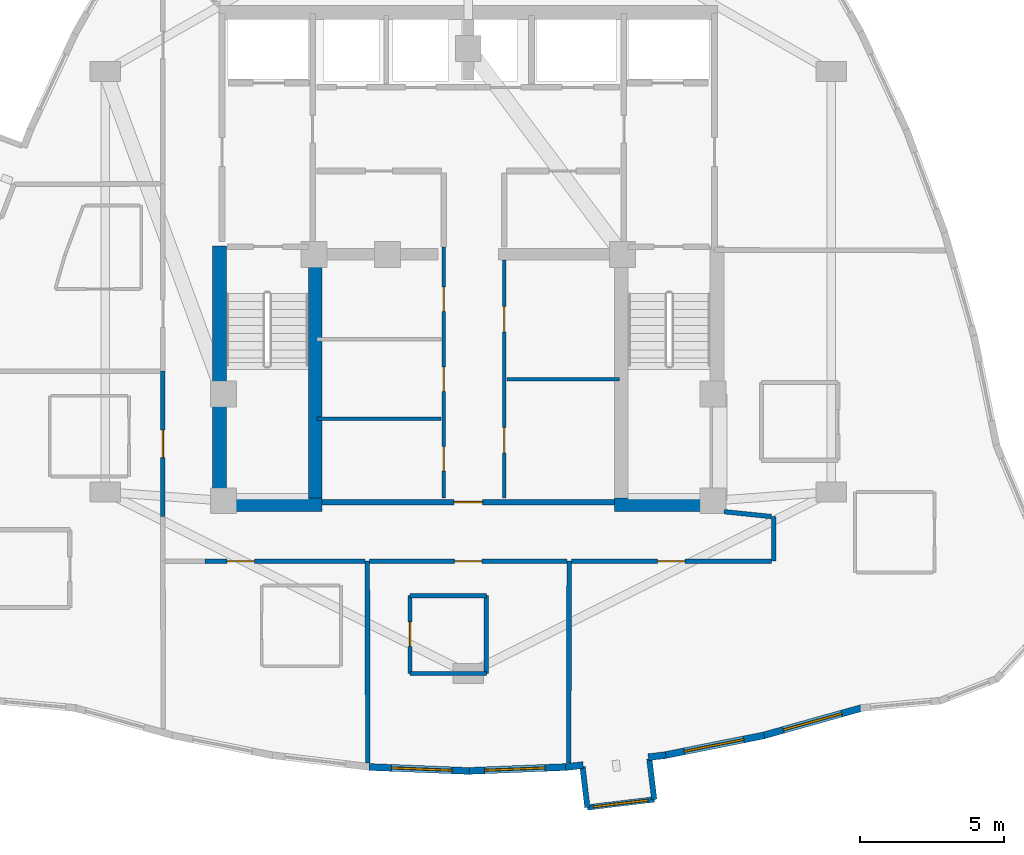
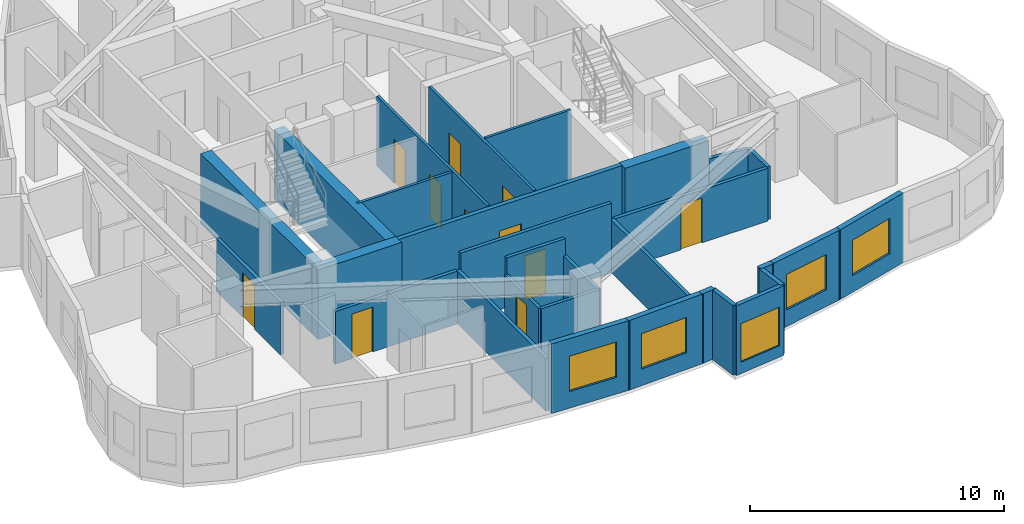
# One storey, part 4 of 9: 30 walls, 11 doors, 5 windows, 16 openings.
"""IFC4 building model written with IfcOpenShell, lengths in metres."""

from ifc_helpers import new_model, si_unit, direction, frame, frame_2d, origin, place, context, subcontext, project, spatial, rectangle, extrude, material, layer, layer_set, type_object, element, fill, save


model = new_model("IFC4")

# Units and contexts
model_context = context("Model", 3, precision=1e-05, world=origin(), true_north=direction((0.0, 1.0)))
body_context = subcontext(model_context, "Body", "Model", "MODEL_VIEW")
ifc_project = project(units=[si_unit("LENGTHUNIT", "METRE"), si_unit("AREAUNIT", "SQUARE_METRE"), si_unit("VOLUMEUNIT", "CUBIC_METRE"), si_unit("PLANEANGLEUNIT", "RADIAN"), si_unit("MASSUNIT", "GRAM", prefix="KILO")], contexts=[model_context])

# Site, building, storey
site_placement = place(None, origin())
site = spatial("IfcSite", under=ifc_project, at=site_placement, CompositionType="ELEMENT")
building_placement = place(site_placement, origin())
building = spatial("IfcBuilding", under=site, at=building_placement, Name="Miruveldt Soraemaru", CompositionType="ELEMENT")
storey_placement = place(building_placement, frame((0.0, 0.0, 244.800048828125)))
storey = spatial("IfcBuildingStorey", under=building, at=storey_placement, Name="L67", CompositionType="ELEMENT", Elevation=244.800048828125)

# Walls
ifc_material_1 = material(Name="White powder-coated aluminium EN AW-6060 T6", Category="aluminium")
ifc_layer_1 = layer(ifc_material_1, 0.18994140625, Name="White powder-coated aluminium EN AW-6060 T6", Category="aluminium")
ifc_layer_set_1 = layer_set([ifc_layer_1], Name="White powder-coated aluminium EN AW-6060 T6")
wall_type_1 = type_object("IfcWallType", Name="WALL-BAY-ALU190", PredefinedType="SOLIDWALL", material=ifc_layer_set_1)
for number, where, z_axis, x_axis, name in (
    (1, (47.965576171875, 26.26708984375, 0.0), (0.0, 0.0, 1.0), (0.119077659317, -0.992884943511, 0.0), "L67 Bay Window Side Cheek 2L"),
    (2, (50.455810546875, 25.130859375, 0.0), (0.0, 0.0, 1.0), (-0.119246559468, 0.992864672579, 0.0), "L67 Bay Window Side Cheek 2R"),
):
    element("IfcWall", number, at=place(storey_placement, frame(where, z_axis=z_axis, x_axis=x_axis)), inside=storey, type_object=wall_type_1, Name=name, PredefinedType="SOLIDWALL", context=body_context, shape_type="SweptSolid", body=[
        extrude(rectangle(XDim=1.425048828125, YDim=0.18994140625, at=frame_2d((0.71240234375, 0.0))), origin(), (0.0, 0.0, 1.0), 3.344970703125),
    ])

# Wall, opening, window
wall_1_placement = place(storey_placement, frame((48.13525390625, 24.852294921875, 0.0), z_axis=(0.0, 0.0, 1.0), x_axis=(0.992871894832, 0.119186410521, 0.0)))
wall_1 = element("IfcWall", 3, at=wall_1_placement, inside=storey, type_object=wall_type_1, Name="L67 Bay Window Front Frame 2", PredefinedType="SOLIDWALL", context=body_context, shape_type="SweptSolid", body=[
    extrude(rectangle(XDim=2.337158203125, YDim=0.18994140625, at=frame_2d((1.16845703125, 0.0))), origin(), (0.0, 0.0, 1.0), 3.344970703125),
])
opening_1_placement = place(wall_1_placement, frame((0.218994140625, 0.0, 0.550048828125)))
opening_1 = element("IfcOpeningElement", 4, at=opening_1_placement, cuts=wall_1, Name="Opening WN-6", PredefinedType="OPENING", context=body_context, shape_type="SweptSolid", body=[
    extrude(rectangle(XDim=1.89990234375, YDim=1.85009765625, at=frame_2d((0.949951171875, 0.925048828125))), frame((0.0, 0.10498046875, 0.0), z_axis=(0.0, -1.0, 0.0), x_axis=(1.0, 0.0, 0.0)), (0.0, 0.0, 1.0), 0.2099609375),
])
ifc_material_2 = material(Name="Triple low-e insulated glazing", Category="glass")
window_type_1 = type_object("IfcWindowType", Name="WIN-BAYW-1900x1850", PartitioningType="SINGLE_PANEL", PredefinedType="WINDOW", material=ifc_material_2)
window_1_placement = place(opening_1_placement, origin())
window_1 = element("IfcWindow", 5, at=window_1_placement, inside=storey, type_object=window_type_1, Name="L67 Projecting Bay Window 2", OverallHeight=1.85009765625, OverallWidth=1.89990234375, PartitioningType="SINGLE_PANEL", PredefinedType="WINDOW", context=body_context, shape_type="SweptSolid", body=[
    extrude(rectangle(XDim=1.89990234375, YDim=1.85009765625, at=frame_2d((0.949951171875, 0.925048828125))), frame((0.0, 0.030029296875, 0.0), z_axis=(0.0, -1.0, 0.0), x_axis=(1.0, 0.0, 0.0)), (0.0, 0.0, 1.0), 0.06005859375),
])
fill(opening_1, window_1)

# Walls
ifc_material_3 = material(Name="Concrete C60/75 (60 MPa)", Category="concrete")
ifc_layer_2 = layer(ifc_material_3, 0.47998046875, Name="Concrete C60/75 (60 MPa)", Category="concrete")
ifc_layer_set_2 = layer_set([ifc_layer_2], Name="Concrete C60/75 (60 MPa)")
wall_type_2 = type_object("IfcWallType", Name="WALL-CW-480", PredefinedType="SHEAR", material=ifc_layer_set_2)
for number, where, z_axis, x_axis, name in (
    (6, (35.1201171875, 35.360107421875, 0.0), (0.0, 0.0, 1.0), (1.0, 0.0, 0.0), "L67 Central Core Shear Wall S1"),
    (7, (49.070068359375, 35.360107421875, 0.0), (0.0, 0.0, 1.0), (1.0, 0.0, 0.0), "L67 Central Core Shear Wall S2"),
):
    element("IfcWall", number, at=place(storey_placement, frame(where, z_axis=z_axis, x_axis=x_axis)), inside=storey, type_object=wall_type_2, Name=name, PredefinedType="SHEAR", context=body_context, shape_type="SweptSolid", body=[
        extrude(rectangle(XDim=3.809814453125, YDim=0.47998046875, at=frame_2d((1.90478515625, 0.0))), origin(), (0.0, 0.0, 1.0), 3.344970703125),
    ])
wall_2_placement = place(storey_placement, frame((35.360107421875, 35.1201171875, 0.0), z_axis=(0.0, 0.0, 1.0), x_axis=(0.0, 1.0, 0.0)))
element("IfcWall", 8, at=wall_2_placement, inside=storey, type_object=wall_type_2, Name="L67 Central Core Shear Wall W1", PredefinedType="SHEAR", context=body_context, shape_type="SweptSolid", body=[
    extrude(rectangle(XDim=9.22998046875, YDim=0.47998046875, at=frame_2d((4.614990234375, 0.0))), origin(), (0.0, 0.0, 1.0), 3.344970703125),
])
wall_3_placement = place(storey_placement, frame((38.68994140625, 35.39990234375, 0.0), z_axis=(0.0, 0.0, 1.0), x_axis=(0.0, 1.0, 0.0)))
element("IfcWall", 9, at=wall_3_placement, inside=storey, type_object=wall_type_2, Name="L67 Central Core Shear Wall SW-INT", PredefinedType="SHEAR", context=body_context, shape_type="SweptSolid", body=[
    extrude(rectangle(XDim=8.9501953125, YDim=0.47998046875, at=frame_2d((4.47509765625, 0.0))), origin(), (0.0, 0.0, 1.0), 3.344970703125),
])

# Wall, opening, window
ifc_material_4 = material(Name="Precast concrete C45/55 (45 MPa)", Category="concrete")
ifc_layer_3 = layer(ifc_material_4, 0.239990234375, Name="Precast concrete C45/55 (45 MPa)", Category="concrete")
ifc_layer_set_3 = layer_set([ifc_layer_3], Name="Precast concrete C45/55 (45 MPa)")
wall_type_3 = type_object("IfcWallType", Name="WALL-EXT-PC240", PredefinedType="SOLIDWALL", material=ifc_layer_set_3)
wall_4_placement = place(storey_placement, frame((40.55224609375, 26.2578125, 0.0), z_axis=(0.0, 0.0, 1.0), x_axis=(0.999199839392, -0.039996011798, 0.0)))
wall_4 = element("IfcWall", 10, at=wall_4_placement, inside=storey, type_object=wall_type_3, Name="L67 Precast Concrete Facade Wall 24", PredefinedType="SOLIDWALL", context=body_context, shape_type="SweptSolid", body=[
    extrude(rectangle(XDim=3.4853515625, YDim=0.239990234375, at=frame_2d((1.74267578125, 0.0))), origin(), (0.0, 0.0, 1.0), 3.344970703125),
])
opening_2_placement = place(wall_4_placement, frame((0.787109375, 0.0, 0.800048828125)))
opening_2 = element("IfcOpeningElement", 11, at=opening_2_placement, cuts=wall_4, Name="Opening WN-1", PredefinedType="OPENING", context=body_context, shape_type="SweptSolid", body=[
    extrude(rectangle(XDim=2.10009765625, YDim=1.699951171875, at=frame_2d((1.050048828125, 0.85009765625))), frame((0.0, 0.1298828125, 0.0), z_axis=(0.0, -1.0, 0.0), x_axis=(1.0, 0.0, 0.0)), (0.0, 0.0, 1.0), 0.260009765625),
])
window_type_2 = type_object("IfcWindowType", Name="WIN-PUNCH-2100x1700", PartitioningType="SINGLE_PANEL", PredefinedType="WINDOW", material=ifc_material_2)
window_2_placement = place(opening_2_placement, origin())
window_2 = element("IfcWindow", 12, at=window_2_placement, inside=storey, type_object=window_type_2, Name="L67 Punched Triple-Glazed Window 24.1", OverallHeight=1.699951171875, OverallWidth=2.10009765625, PartitioningType="SINGLE_PANEL", PredefinedType="WINDOW", context=body_context, shape_type="SweptSolid", body=[
    extrude(rectangle(XDim=2.10009765625, YDim=1.699951171875, at=frame_2d((1.050048828125, 0.85009765625))), frame((0.0, 0.030029296875, 0.0), z_axis=(0.0, -1.0, 0.0), x_axis=(1.0, 0.0, 0.0)), (0.0, 0.0, 1.0), 0.06005859375),
])
fill(opening_2, window_2)

wall_5_placement = place(storey_placement, frame((43.965087890625, 26.118408203125, 0.0), z_axis=(0.0, 0.0, 1.0), x_axis=(0.999199839392, 0.039996011798, 0.0)))
wall_5 = element("IfcWall", 13, at=wall_5_placement, inside=storey, type_object=wall_type_3, Name="L67 Precast Concrete Facade Wall 25", PredefinedType="SOLIDWALL", context=body_context, shape_type="SweptSolid", body=[
    extrude(rectangle(XDim=3.4853515625, YDim=0.239990234375, at=frame_2d((1.74267578125, 0.0))), origin(), (0.0, 0.0, 1.0), 3.344970703125),
])
opening_3_placement = place(wall_5_placement, frame((0.59912109375, 0.0, 0.800048828125)))
opening_3 = element("IfcOpeningElement", 14, at=opening_3_placement, cuts=wall_5, Name="Opening WN-1", PredefinedType="OPENING", context=body_context, shape_type="SweptSolid", body=[
    extrude(rectangle(XDim=2.10009765625, YDim=1.699951171875, at=frame_2d((1.050048828125, 0.85009765625))), frame((0.0, 0.1298828125, 0.0), z_axis=(0.0, -1.0, 0.0), x_axis=(1.0, 0.0, 0.0)), (0.0, 0.0, 1.0), 0.260009765625),
])
window_3_placement = place(opening_3_placement, origin())
window_3 = element("IfcWindow", 15, at=window_3_placement, inside=storey, type_object=window_type_2, Name="L67 Punched Triple-Glazed Window 25.1", OverallHeight=1.699951171875, OverallWidth=2.10009765625, PartitioningType="SINGLE_PANEL", PredefinedType="WINDOW", context=body_context, shape_type="SweptSolid", body=[
    extrude(rectangle(XDim=2.10009765625, YDim=1.699951171875, at=frame_2d((1.050048828125, 0.85009765625))), frame((0.0, 0.030029296875, 0.0), z_axis=(0.0, -1.0, 0.0), x_axis=(1.0, 0.0, 0.0)), (0.0, 0.0, 1.0), 0.06005859375),
])
fill(opening_3, window_3)

# Walls
for number, where, z_axis, x_axis, name in (
    (16, (47.3779296875, 26.252197265625, 0.0), (0.0, 0.0, 1.0), (0.992888100735, 0.119051331023, 0.0), "L67 Precast Pier Wall 26A"),
    (17, (50.24951171875, 26.5966796875, 0.0), (0.0, 0.0, 1.0), (0.992888100735, 0.119051331023, 0.0), "L67 Precast Pier Wall 26B"),
):
    element("IfcWall", number, at=place(storey_placement, frame(where, z_axis=z_axis, x_axis=x_axis)), inside=storey, type_object=wall_type_3, Name=name, PredefinedType="SOLIDWALL", context=body_context, shape_type="SweptSolid", body=[
        extrude(rectangle(XDim=0.615234375, YDim=0.239990234375, at=frame_2d((0.3076171875, 0.0))), origin(), (0.0, 0.0, 1.0), 3.344970703125),
    ])

# Wall, opening, window
wall_6_placement = place(storey_placement, frame((50.791259765625, 26.658935546875, 0.0), z_axis=(0.0, 0.0, 1.0), x_axis=(0.980580675691, 0.196116135138, 0.0)))
wall_6 = element("IfcWall", 18, at=wall_6_placement, inside=storey, type_object=wall_type_3, Name="L67 Precast Concrete Facade Wall 27", PredefinedType="SOLIDWALL", context=body_context, shape_type="SweptSolid", body=[
    extrude(rectangle(XDim=3.55029296875, YDim=0.239990234375, at=frame_2d((1.775146484375, 0.0))), origin(), (0.0, 0.0, 1.0), 3.344970703125),
])
opening_4_placement = place(wall_6_placement, frame((0.72509765625, 0.0, 0.800048828125)))
opening_4 = element("IfcOpeningElement", 19, at=opening_4_placement, cuts=wall_6, Name="Opening WN-1", PredefinedType="OPENING", context=body_context, shape_type="SweptSolid", body=[
    extrude(rectangle(XDim=2.10009765625, YDim=1.699951171875, at=frame_2d((1.050048828125, 0.85009765625))), frame((0.0, 0.1298828125, 0.0), z_axis=(0.0, -1.0, 0.0), x_axis=(1.0, 0.0, 0.0)), (0.0, 0.0, 1.0), 0.260009765625),
])
window_4_placement = place(opening_4_placement, origin())
window_4 = element("IfcWindow", 20, at=window_4_placement, inside=storey, type_object=window_type_2, Name="L67 Punched Triple-Glazed Window 27.1", OverallHeight=1.699951171875, OverallWidth=2.10009765625, PartitioningType="SINGLE_PANEL", PredefinedType="WINDOW", context=body_context, shape_type="SweptSolid", body=[
    extrude(rectangle(XDim=2.10009765625, YDim=1.699951171875, at=frame_2d((1.050048828125, 0.85009765625))), frame((0.0, 0.030029296875, 0.0), z_axis=(0.0, -1.0, 0.0), x_axis=(1.0, 0.0, 0.0)), (0.0, 0.0, 1.0), 0.06005859375),
])
fill(opening_4, window_4)

wall_7_placement = place(storey_placement, frame((54.204833984375, 27.339111328125, 0.0), z_axis=(0.0, 0.0, 1.0), x_axis=(0.9629710353, 0.269604868599, 0.0)))
wall_7 = element("IfcWall", 21, at=wall_7_placement, inside=storey, type_object=wall_type_3, Name="L67 Precast Concrete Facade Wall 28", PredefinedType="SOLIDWALL", context=body_context, shape_type="SweptSolid", body=[
    extrude(rectangle(XDim=3.614013671875, YDim=0.239990234375, at=frame_2d((1.80712890625, 0.0))), origin(), (0.0, 0.0, 1.0), 3.344970703125),
])
opening_5_placement = place(wall_7_placement, frame((0.757080078125, 0.0, 0.800048828125)))
opening_5 = element("IfcOpeningElement", 22, at=opening_5_placement, cuts=wall_7, Name="Opening WN-1", PredefinedType="OPENING", context=body_context, shape_type="SweptSolid", body=[
    extrude(rectangle(XDim=2.10009765625, YDim=1.699951171875, at=frame_2d((1.050048828125, 0.85009765625))), frame((0.0, 0.1298828125, 0.0), z_axis=(0.0, -1.0, 0.0), x_axis=(1.0, 0.0, 0.0)), (0.0, 0.0, 1.0), 0.260009765625),
])
window_5_placement = place(opening_5_placement, origin())
window_5 = element("IfcWindow", 23, at=window_5_placement, inside=storey, type_object=window_type_2, Name="L67 Punched Triple-Glazed Window 28.1", OverallHeight=1.699951171875, OverallWidth=2.10009765625, PartitioningType="SINGLE_PANEL", PredefinedType="WINDOW", context=body_context, shape_type="SweptSolid", body=[
    extrude(rectangle(XDim=2.10009765625, YDim=1.699951171875, at=frame_2d((1.050048828125, 0.85009765625))), frame((0.0, 0.030029296875, 0.0), z_axis=(0.0, -1.0, 0.0), x_axis=(1.0, 0.0, 0.0)), (0.0, 0.0, 1.0), 0.06005859375),
])
fill(opening_5, window_5)

# Wall, openings, doors
ifc_material_5 = material(Name="Gypsum plasterboard lining", Category="gypsum")
ifc_layer_4 = layer(ifc_material_5, 0.1201171875, Name="Gypsum plasterboard lining", Category="gypsum")
ifc_layer_set_4 = layer_set([ifc_layer_4], Name="Gypsum plasterboard lining")
wall_type_4 = type_object("IfcWallType", Name="WALL-INT-P120", PredefinedType="PARTITIONING", material=ifc_layer_set_4)
wall_8_placement = place(storey_placement, frame((43.14990234375, 35.60009765625, 0.0), z_axis=(0.0, 0.0, 1.0), x_axis=(0.0, 1.0, 0.0)))
wall_8 = element("IfcWall", 24, at=wall_8_placement, inside=storey, type_object=wall_type_4, Name="L67 Core Compartment Wall SP-WL", PredefinedType="PARTITIONING", context=body_context, shape_type="SweptSolid", body=[
    extrude(rectangle(XDim=8.699951171875, YDim=0.1201171875, at=frame_2d((4.35009765625, 0.0))), origin(), (0.0, 0.0, 1.0), 3.344970703125),
])
opening_6_placement = place(wall_8_placement, frame((0.925048828125, 0.0, 0.0)))
opening_6 = element("IfcOpeningElement", 25, at=opening_6_placement, cuts=wall_8, Name="Opening FD3", PredefinedType="OPENING", context=body_context, shape_type="SweptSolid", body=[
    extrude(rectangle(XDim=0.85009765625, YDim=2.10009765625, at=frame_2d((0.425048828125, 1.050048828125))), frame((0.0, 0.070068359375, 0.0), z_axis=(0.0, -1.0, 0.0), x_axis=(1.0, 0.0, 0.0)), (0.0, 0.0, 1.0), 0.14013671875),
])
opening_7_placement = place(wall_8_placement, frame((3.695068359375, 0.0, 0.0)))
opening_7 = element("IfcOpeningElement", 26, at=opening_7_placement, cuts=wall_8, Name="Opening FD3", PredefinedType="OPENING", context=body_context, shape_type="SweptSolid", body=[
    extrude(rectangle(XDim=0.85009765625, YDim=2.10009765625, at=frame_2d((0.425048828125, 1.050048828125))), frame((0.0, 0.070068359375, 0.0), z_axis=(0.0, -1.0, 0.0), x_axis=(1.0, 0.0, 0.0)), (0.0, 0.0, 1.0), 0.14013671875),
])
opening_8_placement = place(wall_8_placement, frame((6.47509765625, 0.0, 0.0)))
opening_8 = element("IfcOpeningElement", 27, at=opening_8_placement, cuts=wall_8, Name="Opening FD3", PredefinedType="OPENING", context=body_context, shape_type="SweptSolid", body=[
    extrude(rectangle(XDim=0.85009765625, YDim=2.10009765625, at=frame_2d((0.425048828125, 1.050048828125))), frame((0.0, 0.070068359375, 0.0), z_axis=(0.0, -1.0, 0.0), x_axis=(1.0, 0.0, 0.0)), (0.0, 0.0, 1.0), 0.14013671875),
])
ifc_material_6 = material(Name="Anodised aluminium EN AW-6063 T6", Category="aluminium")
door_type_1 = type_object("IfcDoorType", Name="DOOR-FD3-850", OperationType="NOTDEFINED", PredefinedType="DOOR", material=ifc_material_6)
door_1_placement = place(opening_6_placement, origin())
door_1 = element("IfcDoor", 28, at=door_1_placement, inside=storey, type_object=door_type_1, Name="L67 Fire Door", OperationType="SINGLE_SWING_LEFT", OverallHeight=2.10009765625, OverallWidth=0.85009765625, PredefinedType="DOOR", context=body_context, shape_type="SweptSolid", body=[
    extrude(rectangle(XDim=0.85009765625, YDim=2.10009765625, at=frame_2d((0.425048828125, 1.050048828125))), frame((0.0, 0.02490234375, 0.0), z_axis=(0.0, -1.0, 0.0), x_axis=(1.0, 0.0, 0.0)), (0.0, 0.0, 1.0), 0.050048828125),
])
fill(opening_6, door_1)
door_2_placement = place(opening_7_placement, origin())
door_2 = element("IfcDoor", 29, at=door_2_placement, inside=storey, type_object=door_type_1, Name="L67 Fire Door", OperationType="SINGLE_SWING_LEFT", OverallHeight=2.10009765625, OverallWidth=0.85009765625, PredefinedType="DOOR", context=body_context, shape_type="SweptSolid", body=[
    extrude(rectangle(XDim=0.85009765625, YDim=2.10009765625, at=frame_2d((0.425048828125, 1.050048828125))), frame((0.0, 0.02490234375, 0.0), z_axis=(0.0, -1.0, 0.0), x_axis=(1.0, 0.0, 0.0)), (0.0, 0.0, 1.0), 0.050048828125),
])
fill(opening_7, door_2)
door_3_placement = place(opening_8_placement, origin())
door_3 = element("IfcDoor", 30, at=door_3_placement, inside=storey, type_object=door_type_1, Name="L67 Fire Door", OperationType="SINGLE_SWING_LEFT", OverallHeight=2.10009765625, OverallWidth=0.85009765625, PredefinedType="DOOR", context=body_context, shape_type="SweptSolid", body=[
    extrude(rectangle(XDim=0.85009765625, YDim=2.10009765625, at=frame_2d((0.425048828125, 1.050048828125))), frame((0.0, 0.02490234375, 0.0), z_axis=(0.0, -1.0, 0.0), x_axis=(1.0, 0.0, 0.0)), (0.0, 0.0, 1.0), 0.050048828125),
])
fill(opening_8, door_3)

wall_9_placement = place(storey_placement, frame((45.25, 35.60009765625, 0.0), z_axis=(0.0, 0.0, 1.0), x_axis=(0.0, 1.0, 0.0)))
wall_9 = element("IfcWall", 31, at=wall_9_placement, inside=storey, type_object=wall_type_4, Name="L67 Core Compartment Wall SP-EL", PredefinedType="PARTITIONING", context=body_context, shape_type="SweptSolid", body=[
    extrude(rectangle(XDim=8.25, YDim=0.1201171875, at=frame_2d((4.125, 0.0))), origin(), (0.0, 0.0, 1.0), 3.344970703125),
])
opening_9_placement = place(wall_9_placement, frame((1.550048828125, 0.0, 0.0)))
opening_9 = element("IfcOpeningElement", 32, at=opening_9_placement, cuts=wall_9, Name="Opening D3", PredefinedType="OPENING", context=body_context, shape_type="SweptSolid", body=[
    extrude(rectangle(XDim=0.89990234375, YDim=2.10009765625, at=frame_2d((0.449951171875, 1.050048828125))), frame((0.0, 0.070068359375, 0.0), z_axis=(0.0, -1.0, 0.0), x_axis=(1.0, 0.0, 0.0)), (0.0, 0.0, 1.0), 0.14013671875),
])
opening_10_placement = place(wall_9_placement, frame((5.75, 0.0, 0.0)))
opening_10 = element("IfcOpeningElement", 33, at=opening_10_placement, cuts=wall_9, Name="Opening D3", PredefinedType="OPENING", context=body_context, shape_type="SweptSolid", body=[
    extrude(rectangle(XDim=0.89990234375, YDim=2.10009765625, at=frame_2d((0.449951171875, 1.050048828125))), frame((0.0, 0.070068359375, 0.0), z_axis=(0.0, -1.0, 0.0), x_axis=(1.0, 0.0, 0.0)), (0.0, 0.0, 1.0), 0.14013671875),
])
door_type_2 = type_object("IfcDoorType", Name="DOOR-INT-900", OperationType="NOTDEFINED", PredefinedType="DOOR", material=ifc_material_6)
door_4_placement = place(opening_9_placement, origin())
door_4 = element("IfcDoor", 34, at=door_4_placement, inside=storey, type_object=door_type_2, Name="L67 Fire Door", OperationType="SINGLE_SWING_LEFT", OverallHeight=2.10009765625, OverallWidth=0.89990234375, PredefinedType="DOOR", context=body_context, shape_type="SweptSolid", body=[
    extrude(rectangle(XDim=0.89990234375, YDim=2.10009765625, at=frame_2d((0.449951171875, 1.050048828125))), frame((0.0, 0.02490234375, 0.0), z_axis=(0.0, -1.0, 0.0), x_axis=(1.0, 0.0, 0.0)), (0.0, 0.0, 1.0), 0.050048828125),
])
fill(opening_9, door_4)
door_5_placement = place(opening_10_placement, origin())
door_5 = element("IfcDoor", 35, at=door_5_placement, inside=storey, type_object=door_type_2, Name="L67 Fire Door", OperationType="SINGLE_SWING_LEFT", OverallHeight=2.10009765625, OverallWidth=0.89990234375, PredefinedType="DOOR", context=body_context, shape_type="SweptSolid", body=[
    extrude(rectangle(XDim=0.89990234375, YDim=2.10009765625, at=frame_2d((0.449951171875, 1.050048828125))), frame((0.0, 0.02490234375, 0.0), z_axis=(0.0, -1.0, 0.0), x_axis=(1.0, 0.0, 0.0)), (0.0, 0.0, 1.0), 0.050048828125),
])
fill(opening_10, door_5)

# Walls
wall_10_placement = place(storey_placement, frame((38.75, 38.35009765625, 0.0), z_axis=(0.0, 0.0, 1.0), x_axis=(1.0, 0.0, 0.0)))
element("IfcWall", 36, at=wall_10_placement, inside=storey, type_object=wall_type_4, Name="L67 Core Compartment Wall RL-W3A", PredefinedType="PARTITIONING", context=body_context, shape_type="SweptSolid", body=[
    extrude(rectangle(XDim=4.300048828125, YDim=0.1201171875, at=frame_2d((2.14990234375, 0.0))), origin(), (0.0, 0.0, 1.0), 3.344970703125),
])
wall_11_placement = place(storey_placement, frame((45.35009765625, 39.719970703125, 0.0), z_axis=(0.0, 0.0, 1.0), x_axis=(1.0, 0.0, 0.0)))
element("IfcWall", 37, at=wall_11_placement, inside=storey, type_object=wall_type_4, Name="L67 Core Compartment Wall RL-E3H", PredefinedType="PARTITIONING", context=body_context, shape_type="SweptSolid", body=[
    extrude(rectangle(XDim=3.89990234375, YDim=0.1201171875, at=frame_2d((1.949951171875, 0.0))), origin(), (0.0, 0.0, 1.0), 3.344970703125),
])

# Wall, opening, door
ifc_layer_5 = layer(ifc_material_5, 0.14990234375, Name="Gypsum plasterboard lining", Category="gypsum")
ifc_layer_set_5 = layer_set([ifc_layer_5], Name="Gypsum plasterboard lining")
wall_type_5 = type_object("IfcWallType", Name="WALL-INT-PLUMB", PredefinedType="PLUMBINGWALL", material=ifc_layer_set_5)
wall_12_placement = place(storey_placement, frame((41.97998046875, 32.201904296875, 0.0), z_axis=(0.0, 0.0, 1.0), x_axis=(0.0, -1.0, 0.0)))
wall_12 = element("IfcWall", 38, at=wall_12_placement, inside=storey, type_object=wall_type_5, Name="L67 Partition Wall 46", PredefinedType="PLUMBINGWALL", context=body_context, shape_type="SweptSolid", body=[
    extrude(rectangle(XDim=2.699951171875, YDim=0.14990234375, at=frame_2d((1.35009765625, 0.0))), origin(), (0.0, 0.0, 1.0), 2.532958984375),
])
opening_11_placement = place(wall_12_placement, frame((0.909912109375, 0.0, 0.0)))
opening_11 = element("IfcOpeningElement", 39, at=opening_11_placement, cuts=wall_12, Name="Opening FD3", PredefinedType="OPENING", context=body_context, shape_type="SweptSolid", body=[
    extrude(rectangle(XDim=0.85009765625, YDim=2.10009765625, at=frame_2d((0.425048828125, 1.050048828125))), frame((0.0, 0.0849609375, 0.0), z_axis=(0.0, -1.0, 0.0), x_axis=(1.0, 0.0, 0.0)), (0.0, 0.0, 1.0), 0.169921875),
])
door_6_placement = place(opening_11_placement, origin())
door_6 = element("IfcDoor", 40, at=door_6_placement, inside=storey, type_object=door_type_1, Name="L67 Unit CL06 BTH Door", OperationType="SINGLE_SWING_RIGHT", OverallHeight=2.10009765625, OverallWidth=0.85009765625, PredefinedType="DOOR", context=body_context, shape_type="SweptSolid", body=[
    extrude(rectangle(XDim=0.85009765625, YDim=2.10009765625, at=frame_2d((0.425048828125, 1.050048828125))), frame((0.0, 0.02490234375, 0.0), z_axis=(0.0, -1.0, 0.0), x_axis=(1.0, 0.0, 0.0)), (0.0, 0.0, 1.0), 0.050048828125),
])
fill(opening_11, door_6)

# Walls
wall_13_placement = place(storey_placement, frame((44.6298828125, 29.501953125, 0.0), z_axis=(0.0, 0.0, 1.0), x_axis=(0.0, 1.0, 0.0)))
element("IfcWall", 41, at=wall_13_placement, inside=storey, type_object=wall_type_5, Name="L67 Partition Wall 44", PredefinedType="PLUMBINGWALL", context=body_context, shape_type="SweptSolid", body=[
    extrude(rectangle(XDim=2.699951171875, YDim=0.14990234375, at=frame_2d((1.35009765625, 0.0))), origin(), (0.0, 0.0, 1.0), 2.532958984375),
])
wall_14_placement = place(storey_placement, frame((44.6298828125, 32.201904296875, 0.0), z_axis=(0.0, 0.0, 1.0), x_axis=(-1.0, 0.0, 0.0)))
element("IfcWall", 42, at=wall_14_placement, inside=storey, type_object=wall_type_5, Name="L67 Partition Wall 45", PredefinedType="PLUMBINGWALL", context=body_context, shape_type="SweptSolid", body=[
    extrude(rectangle(XDim=2.64990234375, YDim=0.14990234375, at=frame_2d((1.324951171875, 0.0))), origin(), (0.0, 0.0, 1.0), 3.344970703125),
])
wall_15_placement = place(storey_placement, frame((41.97998046875, 29.501953125, 0.0), z_axis=(0.0, 0.0, 1.0), x_axis=(1.0, 0.0, 0.0)))
element("IfcWall", 43, at=wall_15_placement, inside=storey, type_object=wall_type_5, Name="L67 Partition Wall 47", PredefinedType="PLUMBINGWALL", context=body_context, shape_type="SweptSolid", body=[
    extrude(rectangle(XDim=2.64990234375, YDim=0.14990234375, at=frame_2d((1.324951171875, 0.0))), origin(), (0.0, 0.0, 1.0), 2.532958984375),
])

# Wall, opening, door
ifc_material_7 = material(Name="Concrete C40/50 (40 MPa)", Category="concrete")
ifc_layer_6 = layer(ifc_material_7, 0.159912109375, Name="Concrete C40/50 (40 MPa)", Category="concrete")
ifc_layer_set_6 = layer_set([ifc_layer_6], Name="Concrete C40/50 (40 MPa)")
wall_type_6 = type_object("IfcWallType", Name="WALL-INT-RC160", PredefinedType="SOLIDWALL", material=ifc_layer_set_6)
wall_16_placement = place(storey_placement, frame((47.580078125, 33.39990234375, 0.0), z_axis=(0.0, 0.0, 1.0), x_axis=(1.0, 0.0, 0.0)))
wall_16 = element("IfcWall", 44, at=wall_16_placement, inside=storey, type_object=wall_type_6, Name="L67 Partition Wall 10", PredefinedType="SOLIDWALL", context=body_context, shape_type="SweptSolid", body=[
    extrude(rectangle(XDim=6.93994140625, YDim=0.159912109375, at=frame_2d((3.469970703125, 0.0))), origin(), (0.0, 0.0, 1.0), 2.532958984375),
])
opening_12_placement = place(wall_16_placement, frame((2.9951171875, 0.0, 0.0)))
opening_12 = element("IfcOpeningElement", 45, at=opening_12_placement, cuts=wall_16, Name="Opening FD2", PredefinedType="OPENING", context=body_context, shape_type="SweptSolid", body=[
    extrude(rectangle(XDim=0.949951171875, YDim=2.14990234375, at=frame_2d((0.47509765625, 1.074951171875))), frame((0.0, 0.08984375, 0.0), z_axis=(0.0, -1.0, 0.0), x_axis=(1.0, 0.0, 0.0)), (0.0, 0.0, 1.0), 0.179931640625),
])
door_type_3 = type_object("IfcDoorType", Name="DOOR-FD2-950", OperationType="NOTDEFINED", PredefinedType="DOOR", material=ifc_material_6)
door_7_placement = place(opening_12_placement, origin())
door_7 = element("IfcDoor", 46, at=door_7_placement, inside=storey, type_object=door_type_3, Name="L67 Unit CL07 Entrance Fire Door", OperationType="SINGLE_SWING_LEFT", OverallHeight=2.14990234375, OverallWidth=0.949951171875, PredefinedType="DOOR", context=body_context, shape_type="SweptSolid", body=[
    extrude(rectangle(XDim=0.949951171875, YDim=2.14990234375, at=frame_2d((0.47509765625, 1.074951171875))), frame((0.0, 0.02490234375, 0.0), z_axis=(0.0, -1.0, 0.0), x_axis=(1.0, 0.0, 0.0)), (0.0, 0.0, 1.0), 0.050048828125),
])
fill(opening_12, door_7)

wall_17_placement = place(storey_placement, frame((40.580078125, 33.39990234375, 0.0), z_axis=(0.0, 0.0, 1.0), x_axis=(1.0, 0.0, 0.0)))
wall_17 = element("IfcWall", 47, at=wall_17_placement, inside=storey, type_object=wall_type_6, Name="L67 Partition Wall 9", PredefinedType="SOLIDWALL", context=body_context, shape_type="SweptSolid", body=[
    extrude(rectangle(XDim=6.83984375, YDim=0.159912109375, at=frame_2d((3.419921875, 0.0))), origin(), (0.0, 0.0, 1.0), 3.344970703125),
])
opening_13_placement = place(wall_17_placement, frame((2.945068359375, 0.0, 0.0)))
opening_13 = element("IfcOpeningElement", 48, at=opening_13_placement, cuts=wall_17, Name="Opening FD2", PredefinedType="OPENING", context=body_context, shape_type="SweptSolid", body=[
    extrude(rectangle(XDim=0.949951171875, YDim=2.14990234375, at=frame_2d((0.47509765625, 1.074951171875))), frame((0.0, 0.08984375, 0.0), z_axis=(0.0, -1.0, 0.0), x_axis=(1.0, 0.0, 0.0)), (0.0, 0.0, 1.0), 0.179931640625),
])
door_8_placement = place(opening_13_placement, origin())
door_8 = element("IfcDoor", 49, at=door_8_placement, inside=storey, type_object=door_type_3, Name="L67 Unit CL06 Entrance Fire Door", OperationType="SINGLE_SWING_LEFT", OverallHeight=2.14990234375, OverallWidth=0.949951171875, PredefinedType="DOOR", context=body_context, shape_type="SweptSolid", body=[
    extrude(rectangle(XDim=0.949951171875, YDim=2.14990234375, at=frame_2d((0.47509765625, 1.074951171875))), frame((0.0, 0.02490234375, 0.0), z_axis=(0.0, -1.0, 0.0), x_axis=(1.0, 0.0, 0.0)), (0.0, 0.0, 1.0), 0.050048828125),
])
fill(opening_13, door_8)

wall_18_placement = place(storey_placement, frame((34.8701171875, 33.39990234375, 0.0), z_axis=(0.0, 0.0, 1.0), x_axis=(1.0, 0.0, 0.0)))
wall_18 = element("IfcWall", 50, at=wall_18_placement, inside=storey, type_object=wall_type_6, Name="L67 Partition Wall 8", PredefinedType="SOLIDWALL", context=body_context, shape_type="SweptSolid", body=[
    extrude(rectangle(XDim=5.5498046875, YDim=0.159912109375, at=frame_2d((2.77490234375, 0.0))), origin(), (0.0, 0.0, 1.0), 2.532958984375),
])
opening_14_placement = place(wall_18_placement, frame((0.760009765625, 0.0, 0.0)))
opening_14 = element("IfcOpeningElement", 51, at=opening_14_placement, cuts=wall_18, Name="Opening FD2", PredefinedType="OPENING", context=body_context, shape_type="SweptSolid", body=[
    extrude(rectangle(XDim=0.949951171875, YDim=2.14990234375, at=frame_2d((0.47509765625, 1.074951171875))), frame((0.0, 0.08984375, 0.0), z_axis=(0.0, -1.0, 0.0), x_axis=(1.0, 0.0, 0.0)), (0.0, 0.0, 1.0), 0.179931640625),
])
door_9_placement = place(opening_14_placement, origin())
door_9 = element("IfcDoor", 52, at=door_9_placement, inside=storey, type_object=door_type_3, Name="L67 Unit CL05 Entrance Fire Door", OperationType="SINGLE_SWING_LEFT", OverallHeight=2.14990234375, OverallWidth=0.949951171875, PredefinedType="DOOR", context=body_context, shape_type="SweptSolid", body=[
    extrude(rectangle(XDim=0.949951171875, YDim=2.14990234375, at=frame_2d((0.47509765625, 1.074951171875))), frame((0.0, 0.02490234375, 0.0), z_axis=(0.0, -1.0, 0.0), x_axis=(1.0, 0.0, 0.0)), (0.0, 0.0, 1.0), 0.050048828125),
])
fill(opening_14, door_9)

wall_19_placement = place(storey_placement, frame((33.39990234375, 39.9970703125, 0.0), z_axis=(0.0, 0.0, 1.0), x_axis=(0.0, -1.0, 0.0)))
wall_19 = element("IfcWall", 53, at=wall_19_placement, inside=storey, type_object=wall_type_6, Name="L67 Partition Wall 5", PredefinedType="SOLIDWALL", context=body_context, shape_type="SweptSolid", body=[
    extrude(rectangle(XDim=5.047119140625, YDim=0.159912109375, at=frame_2d((2.5234375, 0.0))), origin(), (0.0, 0.0, 1.0), 2.532958984375),
])
opening_15_placement = place(wall_19_placement, frame((2.048095703125, 0.0, 0.0)))
opening_15 = element("IfcOpeningElement", 54, at=opening_15_placement, cuts=wall_19, Name="Opening FD2", PredefinedType="OPENING", context=body_context, shape_type="SweptSolid", body=[
    extrude(rectangle(XDim=0.949951171875, YDim=2.14990234375, at=frame_2d((0.47509765625, 1.074951171875))), frame((0.0, 0.08984375, 0.0), z_axis=(0.0, -1.0, 0.0), x_axis=(1.0, 0.0, 0.0)), (0.0, 0.0, 1.0), 0.179931640625),
])
door_10_placement = place(opening_15_placement, origin())
door_10 = element("IfcDoor", 55, at=door_10_placement, inside=storey, type_object=door_type_3, Name="L67 Unit 6704 Entrance Fire Door", OperationType="SINGLE_SWING_RIGHT", OverallHeight=2.14990234375, OverallWidth=0.949951171875, PredefinedType="DOOR", context=body_context, shape_type="SweptSolid", body=[
    extrude(rectangle(XDim=0.949951171875, YDim=2.14990234375, at=frame_2d((0.47509765625, 1.074951171875))), frame((0.0, 0.02490234375, 0.0), z_axis=(0.0, -1.0, 0.0), x_axis=(1.0, 0.0, 0.0)), (0.0, 0.0, 1.0), 0.050048828125),
])
fill(opening_15, door_10)

# Walls
for number, where, z_axis, x_axis, name in (
    (56, (40.507080078125, 26.402099609375, 0.0), (0.0, 0.0, 1.0), (-0.0010117568, 0.999999488174, 0.0), "L67 Partition Wall 43"),
    (57, (47.492919921875, 26.402099609375, 0.0), (0.0, 0.0, 1.0), (0.0010117568, 0.999999488174, 0.0), "L67 Partition Wall 48"),
):
    element("IfcWall", number, at=place(storey_placement, frame(where, z_axis=z_axis, x_axis=x_axis)), inside=storey, type_object=wall_type_6, Name=name, PredefinedType="SOLIDWALL", context=body_context, shape_type="SweptSolid", body=[
        extrude(rectangle(XDim=6.997802734375, YDim=0.159912109375, at=frame_2d((3.4990234375, 0.0))), origin(), (0.0, 0.0, 1.0), 2.532958984375),
    ])
wall_20_placement = place(storey_placement, frame((54.52001953125, 34.949951171875, 0.0), z_axis=(0.0, 0.0, 1.0), x_axis=(-0.994660918051, 0.103197180691, 0.0)))
element("IfcWall", 58, at=wall_20_placement, inside=storey, type_object=wall_type_6, Name="L67 Partition Wall 12", PredefinedType="SOLIDWALL", context=body_context, shape_type="SweptSolid", body=[
    extrude(rectangle(XDim=1.64892578125, YDim=0.159912109375, at=frame_2d((0.824462890625, 0.0))), origin(), (0.0, 0.0, 1.0), 2.532958984375),
])
wall_21_placement = place(storey_placement, frame((54.60009765625, 33.39990234375, 0.0), z_axis=(0.0, 0.0, 1.0), x_axis=(0.0, 1.0, 0.0)))
element("IfcWall", 59, at=wall_21_placement, inside=storey, type_object=wall_type_6, Name="L67 Partition Wall 11", PredefinedType="SOLIDWALL", context=body_context, shape_type="SweptSolid", body=[
    extrude(rectangle(XDim=1.550048828125, YDim=0.159912109375, at=frame_2d((0.77490234375, 0.0))), origin(), (0.0, 0.0, 1.0), 2.532958984375),
])

# Wall, opening, door
ifc_layer_7 = layer(ifc_material_7, 0.199951171875, Name="Concrete C40/50 (40 MPa)", Category="concrete")
ifc_layer_set_7 = layer_set([ifc_layer_7], Name="Concrete C40/50 (40 MPa)")
wall_type_7 = type_object("IfcWallType", Name="WALL-INT-RC200", PredefinedType="SOLIDWALL", material=ifc_layer_set_7)
wall_22_placement = place(storey_placement, frame((38.89990234375, 35.449951171875, 0.0), z_axis=(0.0, 0.0, 1.0), x_axis=(1.0, 0.0, 0.0)))
wall_22 = element("IfcWall", 60, at=wall_22_placement, inside=storey, type_object=wall_type_7, Name="L67 Core Compartment Wall CS-S", PredefinedType="SOLIDWALL", context=body_context, shape_type="SweptSolid", body=[
    extrude(rectangle(XDim=10.2001953125, YDim=0.199951171875, at=frame_2d((5.10009765625, 0.0))), origin(), (0.0, 0.0, 1.0), 3.344970703125),
])
opening_16_placement = place(wall_22_placement, frame((4.60009765625, 0.0, 0.0)))
opening_16 = element("IfcOpeningElement", 61, at=opening_16_placement, cuts=wall_22, Name="Opening FD1", PredefinedType="OPENING", context=body_context, shape_type="SweptSolid", body=[
    extrude(rectangle(XDim=1.0, YDim=2.14990234375, at=frame_2d((0.5, 1.074951171875))), frame((0.0, 0.10986328125, 0.0), z_axis=(0.0, -1.0, 0.0), x_axis=(1.0, 0.0, 0.0)), (0.0, 0.0, 1.0), 0.219970703125),
])
door_type_4 = type_object("IfcDoorType", Name="DOOR-FD1-1000", OperationType="NOTDEFINED", PredefinedType="DOOR", material=ifc_material_6)
door_11_placement = place(opening_16_placement, origin())
door_11 = element("IfcDoor", 62, at=door_11_placement, inside=storey, type_object=door_type_4, Name="L67 Core South Lobby Fire Door", OperationType="SINGLE_SWING_LEFT", OverallHeight=2.14990234375, OverallWidth=1.0, PredefinedType="DOOR", context=body_context, shape_type="SweptSolid", body=[
    extrude(rectangle(XDim=1.0, YDim=2.14990234375, at=frame_2d((0.5, 1.074951171875))), frame((0.0, 0.02490234375, 0.0), z_axis=(0.0, -1.0, 0.0), x_axis=(1.0, 0.0, 0.0)), (0.0, 0.0, 1.0), 0.050048828125),
])
fill(opening_16, door_11)

save(model, "model.ifc")
